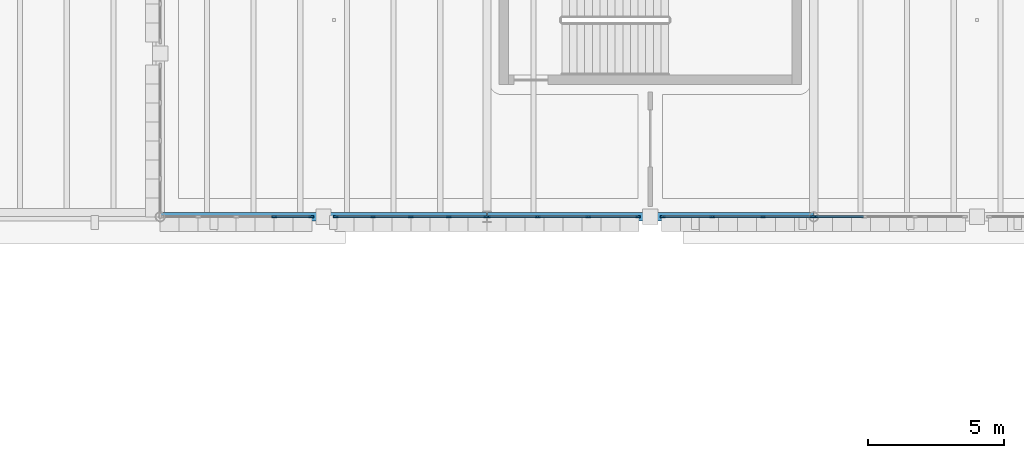
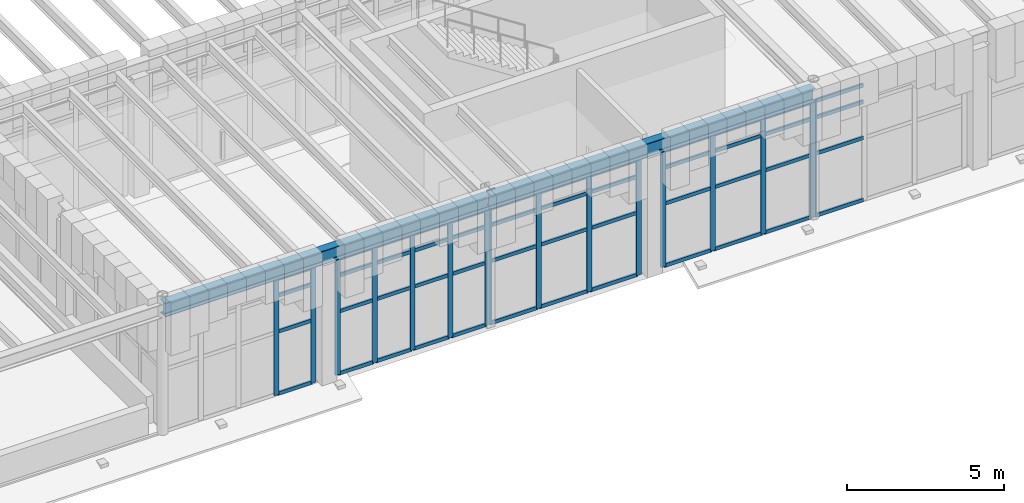
# One storey, part 29 of 100: 64 members, 2 beams, 5 elements without a shape of their own.
"""IFC4 building model written with IfcOpenShell, lengths in metres."""

from ifc_helpers import new_model, si_unit, direction, frame, origin, origin_2d, place, context, subcontext, project, spatial, rectangle, i_section, extrude, material, layer, layer_set, material_profile, profile_set, type_object, element, aggregate, save


model = new_model("IFC4")

# Units and contexts
model_context = context("Model", 3, precision=1e-05, world=origin(), true_north=direction((0.0, 1.0)))
body_context = subcontext(model_context, "Body", "Model", "MODEL_VIEW")
ifc_project = project(units=[si_unit("LENGTHUNIT", "METRE"), si_unit("AREAUNIT", "SQUARE_METRE"), si_unit("VOLUMEUNIT", "CUBIC_METRE"), si_unit("PLANEANGLEUNIT", "RADIAN"), si_unit("MASSUNIT", "GRAM", prefix="KILO")], contexts=[model_context])

# Site, building, storey
site_placement = place(None, origin())
site = spatial("IfcSite", under=ifc_project, at=site_placement, CompositionType="ELEMENT")
building_placement = place(site_placement, origin())
building = spatial("IfcBuilding", under=site, at=building_placement, Name="Zlatogorsky Bluff Art Gallery", CompositionType="ELEMENT")
storey_placement = place(building_placement, frame((0.0, 0.0, 5.39990234375)))
storey = spatial("IfcBuildingStorey", under=building, at=storey_placement, Name="L01", CompositionType="ELEMENT", Elevation=5.39990234375)

# Beams
ifc_material_1 = material(Name="Steel S355", Category="steel")
ifc_material_profile_1 = material_profile(ifc_material_1, i_section(OverallWidth=0.300048828125, OverallDepth=0.5400390625, WebThickness=0.012451171875, FlangeThickness=0.02392578125, FilletRadius=0.027099609375, at=origin_2d()), Name="HEA 550")
ifc_profile_set_1 = profile_set([ifc_material_profile_1], Name="Steel S355")
beam_type = type_object("IfcBeamType", Name="Beam BM-06 HEA 550", PredefinedType="BEAM", material=ifc_profile_set_1)
for number, where, z_axis, x_axis, name in (
    (1, (60.014892578125, 84.0, 4.840087890625), (1.0, 0.0, 0.0), (0.0, 1.0, 0.0), "Primary girder BM-06 L01 F-G/9"),
    (2, (72.014892578125, 84.0, 4.840087890625), (1.0, 0.0, 0.0), (0.0, 1.0, 0.0), "Primary girder BM-06 L01 G-H/9"),
):
    element("IfcBeam", number, at=place(storey_placement, frame(where, z_axis=z_axis, x_axis=x_axis)), inside=storey, type_object=beam_type, Name=name, PredefinedType="BEAM", context=body_context, shape_type="SweptSolid", body=[
        extrude(i_section(OverallWidth=0.300048828125, OverallDepth=0.5400390625, WebThickness=0.012451171875, FlangeThickness=0.02392578125, FilletRadius=0.027099609375, at=origin_2d()), origin(), (0.0, 0.0, 1.0), 11.97021484375),
    ])

# Curtain wall, members
ifc_material_2 = material(Name="Anodised Bronze Aluminium and Low-Iron Triple Glazing", Category="aluminium")
ifc_layer_1 = layer(ifc_material_2, 0.199951171875)
ifc_layer_set_1 = layer_set([ifc_layer_1], Name="Curtain Wall CW-02")
curtain_wall_type_1 = type_object("IfcCurtainWallType", Name="Curtain Wall CW-02", PredefinedType="USERDEFINED", material=ifc_layer_set_1)
curtain_wall_1_placement = place(storey_placement, origin())
curtain_wall_1 = element("IfcCurtainWall", 3, at=curtain_wall_1_placement, inside=storey, type_object=curtain_wall_type_1, Name="Unitised curtain wall CW-02 L01 S 5.8-A", ObjectType="CURTAIN WALL", PredefinedType="USERDEFINED")
ifc_material_3 = material(Name="Anodised Bronze Aluminium", Category="aluminium")
ifc_material_profile_2 = material_profile(ifc_material_3, rectangle(XDim=0.06494140625, YDim=0.179931640625, at=origin_2d()), Name="ALU MULLION 65x180")
ifc_profile_set_2 = profile_set([ifc_material_profile_2], Name="Anodised Bronze Aluminium")
member_type_1 = type_object("IfcMemberType", Name="Curtain Mullion ML-01", PredefinedType="MULLION", material=ifc_profile_set_2)
member_1_placement = place(storey_placement, frame((64.18505859375, 84.0, 0.0), z_axis=(0.0, 0.0, 1.0), x_axis=(0.0, 1.0, 0.0)))
member_1 = element("IfcMember", 4, at=member_1_placement, type_object=member_type_1, Name="CW-02 mullion 4", PredefinedType="MULLION", context=body_context, shape_type="SweptSolid", body=[
    extrude(rectangle(XDim=0.06494140625, YDim=0.179931640625, at=origin_2d()), origin(), (0.0, 0.0, 1.0), 4.530029296875),
])
member_2_placement = place(storey_placement, frame((65.547607421875, 84.0, 0.0), z_axis=(0.0, 0.0, 1.0), x_axis=(0.0, 1.0, 0.0)))
member_2 = element("IfcMember", 5, at=member_2_placement, type_object=member_type_1, Name="CW-02 mullion 5", PredefinedType="MULLION", context=body_context, shape_type="SweptSolid", body=[
    extrude(rectangle(XDim=0.06494140625, YDim=0.179931640625, at=origin_2d()), origin(), (0.0, 0.0, 1.0), 4.530029296875),
])

curtain_wall_2_placement = place(storey_placement, origin())
curtain_wall_2 = element("IfcCurtainWall", 6, at=curtain_wall_2_placement, inside=storey, type_object=curtain_wall_type_1, Name="Unitised curtain wall CW-02 L01 S 5.8-B", ObjectType="CURTAIN WALL", PredefinedType="USERDEFINED")
member_3_placement = place(storey_placement, frame((66.452392578125, 84.0, 0.0), z_axis=(0.0, 0.0, 1.0), x_axis=(0.0, 1.0, 0.0)))
member_3 = element("IfcMember", 7, at=member_3_placement, type_object=member_type_1, Name="CW-02 mullion 1", PredefinedType="MULLION", context=body_context, shape_type="SweptSolid", body=[
    extrude(rectangle(XDim=0.06494140625, YDim=0.179931640625, at=origin_2d()), origin(), (0.0, 0.0, 1.0), 4.530029296875),
])
member_4_placement = place(storey_placement, frame((67.81494140625, 84.0, 0.0), z_axis=(0.0, 0.0, 1.0), x_axis=(0.0, 1.0, 0.0)))
member_4 = element("IfcMember", 8, at=member_4_placement, type_object=member_type_1, Name="CW-02 mullion 2", PredefinedType="MULLION", context=body_context, shape_type="SweptSolid", body=[
    extrude(rectangle(XDim=0.06494140625, YDim=0.179931640625, at=origin_2d()), origin(), (0.0, 0.0, 1.0), 4.530029296875),
])
member_5_placement = place(storey_placement, frame((69.2099609375, 84.0, 0.0), z_axis=(0.0, 0.0, 1.0), x_axis=(0.0, 1.0, 0.0)))
member_5 = element("IfcMember", 9, at=member_5_placement, type_object=member_type_1, Name="CW-02 mullion 3", PredefinedType="MULLION", context=body_context, shape_type="SweptSolid", body=[
    extrude(rectangle(XDim=0.06494140625, YDim=0.179931640625, at=origin_2d()), origin(), (0.0, 0.0, 1.0), 4.530029296875),
])
member_6_placement = place(storey_placement, frame((70.60498046875, 84.0, 0.0), z_axis=(0.0, 0.0, 1.0), x_axis=(0.0, 1.0, 0.0)))
member_6 = element("IfcMember", 10, at=member_6_placement, type_object=member_type_1, Name="CW-02 mullion 4", PredefinedType="MULLION", context=body_context, shape_type="SweptSolid", body=[
    extrude(rectangle(XDim=0.06494140625, YDim=0.179931640625, at=origin_2d()), origin(), (0.0, 0.0, 1.0), 4.530029296875),
])
member_7_placement = place(storey_placement, frame((71.967529296875, 84.0, 0.0), z_axis=(0.0, 0.0, 1.0), x_axis=(0.0, 1.0, 0.0)))
member_7 = element("IfcMember", 11, at=member_7_placement, type_object=member_type_1, Name="CW-02 mullion 5", PredefinedType="MULLION", context=body_context, shape_type="SweptSolid", body=[
    extrude(rectangle(XDim=0.06494140625, YDim=0.179931640625, at=origin_2d()), origin(), (0.0, 0.0, 1.0), 4.530029296875),
])

ifc_layer_2 = layer(ifc_material_2, 0.219970703125)
ifc_layer_set_2 = layer_set([ifc_layer_2], Name="Curtain Wall CW-04")
curtain_wall_type_2 = type_object("IfcCurtainWallType", Name="Curtain Wall CW-04", PredefinedType="USERDEFINED", material=ifc_layer_set_2)
curtain_wall_3_placement = place(storey_placement, origin())
curtain_wall_3 = element("IfcCurtainWall", 12, at=curtain_wall_3_placement, inside=storey, type_object=curtain_wall_type_2, Name="Unitised curtain wall CW-04 L01 S 6.8-A", ObjectType="CURTAIN WALL", PredefinedType="USERDEFINED")
member_8_placement = place(storey_placement, frame((72.032470703125, 84.0, 0.0), z_axis=(0.0, 0.0, 1.0), x_axis=(0.0, 1.0, 0.0)))
member_8 = element("IfcMember", 13, at=member_8_placement, type_object=member_type_1, Name="CW-04 mullion 1", PredefinedType="MULLION", context=body_context, shape_type="SweptSolid", body=[
    extrude(rectangle(XDim=0.06494140625, YDim=0.179931640625, at=origin_2d()), origin(), (0.0, 0.0, 1.0), 4.530029296875),
])
member_9_placement = place(storey_placement, frame((73.860107421875, 84.0, 0.0), z_axis=(0.0, 0.0, 1.0), x_axis=(0.0, 1.0, 0.0)))
member_9 = element("IfcMember", 14, at=member_9_placement, type_object=member_type_1, Name="CW-04 mullion 2", PredefinedType="MULLION", context=body_context, shape_type="SweptSolid", body=[
    extrude(rectangle(XDim=0.06494140625, YDim=0.179931640625, at=origin_2d()), origin(), (0.0, 0.0, 1.0), 4.530029296875),
])
member_10_placement = place(storey_placement, frame((75.719970703125, 84.0, 0.0), z_axis=(0.0, 0.0, 1.0), x_axis=(0.0, 1.0, 0.0)))
member_10 = element("IfcMember", 15, at=member_10_placement, type_object=member_type_1, Name="CW-04 mullion 3", PredefinedType="MULLION", context=body_context, shape_type="SweptSolid", body=[
    extrude(rectangle(XDim=0.06494140625, YDim=0.179931640625, at=origin_2d()), origin(), (0.0, 0.0, 1.0), 4.530029296875),
])
member_11_placement = place(storey_placement, frame((77.547607421875, 84.0, 0.0), z_axis=(0.0, 0.0, 1.0), x_axis=(0.0, 1.0, 0.0)))
member_11 = element("IfcMember", 16, at=member_11_placement, type_object=member_type_1, Name="CW-04 mullion 4", PredefinedType="MULLION", context=body_context, shape_type="SweptSolid", body=[
    extrude(rectangle(XDim=0.06494140625, YDim=0.179931640625, at=origin_2d()), origin(), (0.0, 0.0, 1.0), 4.530029296875),
])

curtain_wall_4_placement = place(storey_placement, origin())
curtain_wall_4 = element("IfcCurtainWall", 17, at=curtain_wall_4_placement, inside=storey, type_object=curtain_wall_type_2, Name="Unitised curtain wall CW-04 L01 S 6.8-B", ObjectType="CURTAIN WALL", PredefinedType="USERDEFINED")
member_12_placement = place(storey_placement, frame((78.452392578125, 84.0, 0.0), z_axis=(0.0, 0.0, 1.0), x_axis=(0.0, 1.0, 0.0)))
member_12 = element("IfcMember", 18, at=member_12_placement, type_object=member_type_1, Name="CW-04 mullion 1", PredefinedType="MULLION", context=body_context, shape_type="SweptSolid", body=[
    extrude(rectangle(XDim=0.06494140625, YDim=0.179931640625, at=origin_2d()), origin(), (0.0, 0.0, 1.0), 4.530029296875),
])
member_13_placement = place(storey_placement, frame((80.280029296875, 84.0, 0.0), z_axis=(0.0, 0.0, 1.0), x_axis=(0.0, 1.0, 0.0)))
member_13 = element("IfcMember", 19, at=member_13_placement, type_object=member_type_1, Name="CW-04 mullion 2", PredefinedType="MULLION", context=body_context, shape_type="SweptSolid", body=[
    extrude(rectangle(XDim=0.06494140625, YDim=0.179931640625, at=origin_2d()), origin(), (0.0, 0.0, 1.0), 4.530029296875),
])
member_14_placement = place(storey_placement, frame((82.139892578125, 84.0, 0.0), z_axis=(0.0, 0.0, 1.0), x_axis=(0.0, 1.0, 0.0)))
member_14 = element("IfcMember", 20, at=member_14_placement, type_object=member_type_1, Name="CW-04 mullion 3", PredefinedType="MULLION", context=body_context, shape_type="SweptSolid", body=[
    extrude(rectangle(XDim=0.06494140625, YDim=0.179931640625, at=origin_2d()), origin(), (0.0, 0.0, 1.0), 4.530029296875),
])
member_15_placement = place(storey_placement, frame((83.967529296875, 84.0, 0.0), z_axis=(0.0, 0.0, 1.0), x_axis=(0.0, 1.0, 0.0)))
member_15 = element("IfcMember", 21, at=member_15_placement, type_object=member_type_1, Name="CW-04 mullion 4", PredefinedType="MULLION", context=body_context, shape_type="SweptSolid", body=[
    extrude(rectangle(XDim=0.06494140625, YDim=0.179931640625, at=origin_2d()), origin(), (0.0, 0.0, 1.0), 4.530029296875),
])

# Curtain wall, member
curtain_wall_5_placement = place(storey_placement, origin())
curtain_wall_5 = element("IfcCurtainWall", 22, at=curtain_wall_5_placement, inside=storey, type_object=curtain_wall_type_2, Name="Unitised curtain wall CW-04 L01 S 7.8-A", ObjectType="CURTAIN WALL", PredefinedType="USERDEFINED")
member_16_placement = place(storey_placement, frame((84.032470703125, 84.0, 0.0), z_axis=(0.0, 0.0, 1.0), x_axis=(0.0, 1.0, 0.0)))
member_16 = element("IfcMember", 23, at=member_16_placement, type_object=member_type_1, Name="CW-04 mullion 1", PredefinedType="MULLION", context=body_context, shape_type="SweptSolid", body=[
    extrude(rectangle(XDim=0.06494140625, YDim=0.179931640625, at=origin_2d()), origin(), (0.0, 0.0, 1.0), 4.530029296875),
])

# Member
ifc_material_profile_3 = material_profile(ifc_material_3, rectangle(XDim=0.06494140625, YDim=0.139892578125, at=origin_2d()), Name="ALU TRANSOM 65x140")
ifc_profile_set_3 = profile_set([ifc_material_profile_3], Name="Anodised Bronze Aluminium")
member_type_2 = type_object("IfcMemberType", Name="Curtain Transom TR-01", PredefinedType="USERDEFINED", material=ifc_profile_set_3)
member_17_placement = place(storey_placement, frame((64.217529296875, 84.0, 0.03271484375), z_axis=(1.0, 0.0, 0.0), x_axis=(0.0, 1.0, 0.0)))
member_17 = element("IfcMember", 24, at=member_17_placement, type_object=member_type_2, Name="CW-02 transom 4.1", ObjectType="TRANSOM", PredefinedType="USERDEFINED", context=body_context, shape_type="SweptSolid", body=[
    extrude(rectangle(XDim=0.06494140625, YDim=0.139892578125, at=origin_2d()), origin(), (0.0, 0.0, 1.0), 1.29736328125),
])

member_18_placement = place(storey_placement, frame((64.217529296875, 84.0, 2.4501953125), z_axis=(1.0, 0.0, 0.0), x_axis=(0.0, 1.0, 0.0)))
member_18 = element("IfcMember", 25, at=member_18_placement, type_object=member_type_2, Name="CW-02 transom 4.2", ObjectType="TRANSOM", PredefinedType="USERDEFINED", context=body_context, shape_type="SweptSolid", body=[
    extrude(rectangle(XDim=0.06494140625, YDim=0.139892578125, at=origin_2d()), origin(), (0.0, 0.0, 1.0), 1.29736328125),
])

member_19_placement = place(storey_placement, frame((64.217529296875, 84.0, 3.85009765625), z_axis=(1.0, 0.0, 0.0), x_axis=(0.0, 1.0, 0.0)))
member_19 = element("IfcMember", 26, at=member_19_placement, type_object=member_type_2, Name="CW-02 transom 4.3", ObjectType="TRANSOM", PredefinedType="USERDEFINED", context=body_context, shape_type="SweptSolid", body=[
    extrude(rectangle(XDim=0.06494140625, YDim=0.139892578125, at=origin_2d()), origin(), (0.0, 0.0, 1.0), 1.29736328125),
])

member_20_placement = place(storey_placement, frame((64.217529296875, 84.0, 4.49755859375), z_axis=(1.0, 0.0, 0.0), x_axis=(0.0, 1.0, 0.0)))
member_20 = element("IfcMember", 27, at=member_20_placement, type_object=member_type_2, Name="CW-02 transom 4.4", ObjectType="TRANSOM", PredefinedType="USERDEFINED", context=body_context, shape_type="SweptSolid", body=[
    extrude(rectangle(XDim=0.06494140625, YDim=0.139892578125, at=origin_2d()), origin(), (0.0, 0.0, 1.0), 1.29736328125),
])

aggregate(curtain_wall_1, [member_1, member_2, member_17, member_18, member_19, member_20])

member_21_placement = place(storey_placement, frame((66.485107421875, 84.0, 0.03271484375), z_axis=(1.0, 0.0, 0.0), x_axis=(0.0, 1.0, 0.0)))
member_21 = element("IfcMember", 28, at=member_21_placement, type_object=member_type_2, Name="CW-02 transom 1.1", ObjectType="TRANSOM", PredefinedType="USERDEFINED", context=body_context, shape_type="SweptSolid", body=[
    extrude(rectangle(XDim=0.06494140625, YDim=0.139892578125, at=origin_2d()), origin(), (0.0, 0.0, 1.0), 1.29736328125),
])

member_22_placement = place(storey_placement, frame((66.485107421875, 84.0, 2.4501953125), z_axis=(1.0, 0.0, 0.0), x_axis=(0.0, 1.0, 0.0)))
member_22 = element("IfcMember", 29, at=member_22_placement, type_object=member_type_2, Name="CW-02 transom 1.2", ObjectType="TRANSOM", PredefinedType="USERDEFINED", context=body_context, shape_type="SweptSolid", body=[
    extrude(rectangle(XDim=0.06494140625, YDim=0.139892578125, at=origin_2d()), origin(), (0.0, 0.0, 1.0), 1.29736328125),
])

member_23_placement = place(storey_placement, frame((66.485107421875, 84.0, 3.85009765625), z_axis=(1.0, 0.0, 0.0), x_axis=(0.0, 1.0, 0.0)))
member_23 = element("IfcMember", 30, at=member_23_placement, type_object=member_type_2, Name="CW-02 transom 1.3", ObjectType="TRANSOM", PredefinedType="USERDEFINED", context=body_context, shape_type="SweptSolid", body=[
    extrude(rectangle(XDim=0.06494140625, YDim=0.139892578125, at=origin_2d()), origin(), (0.0, 0.0, 1.0), 1.29736328125),
])

member_24_placement = place(storey_placement, frame((66.485107421875, 84.0, 4.49755859375), z_axis=(1.0, 0.0, 0.0), x_axis=(0.0, 1.0, 0.0)))
member_24 = element("IfcMember", 31, at=member_24_placement, type_object=member_type_2, Name="CW-02 transom 1.4", ObjectType="TRANSOM", PredefinedType="USERDEFINED", context=body_context, shape_type="SweptSolid", body=[
    extrude(rectangle(XDim=0.06494140625, YDim=0.139892578125, at=origin_2d()), origin(), (0.0, 0.0, 1.0), 1.29736328125),
])

member_25_placement = place(storey_placement, frame((67.847412109375, 84.0, 0.03271484375), z_axis=(1.0, 0.0, 0.0), x_axis=(0.0, 1.0, 0.0)))
member_25 = element("IfcMember", 32, at=member_25_placement, type_object=member_type_2, Name="CW-02 transom 2.1", ObjectType="TRANSOM", PredefinedType="USERDEFINED", context=body_context, shape_type="SweptSolid", body=[
    extrude(rectangle(XDim=0.06494140625, YDim=0.139892578125, at=origin_2d()), origin(), (0.0, 0.0, 1.0), 1.330078125),
])

member_26_placement = place(storey_placement, frame((67.847412109375, 84.0, 2.4501953125), z_axis=(1.0, 0.0, 0.0), x_axis=(0.0, 1.0, 0.0)))
member_26 = element("IfcMember", 33, at=member_26_placement, type_object=member_type_2, Name="CW-02 transom 2.2", ObjectType="TRANSOM", PredefinedType="USERDEFINED", context=body_context, shape_type="SweptSolid", body=[
    extrude(rectangle(XDim=0.06494140625, YDim=0.139892578125, at=origin_2d()), origin(), (0.0, 0.0, 1.0), 1.330078125),
])

member_27_placement = place(storey_placement, frame((67.847412109375, 84.0, 3.85009765625), z_axis=(1.0, 0.0, 0.0), x_axis=(0.0, 1.0, 0.0)))
member_27 = element("IfcMember", 34, at=member_27_placement, type_object=member_type_2, Name="CW-02 transom 2.3", ObjectType="TRANSOM", PredefinedType="USERDEFINED", context=body_context, shape_type="SweptSolid", body=[
    extrude(rectangle(XDim=0.06494140625, YDim=0.139892578125, at=origin_2d()), origin(), (0.0, 0.0, 1.0), 1.330078125),
])

member_28_placement = place(storey_placement, frame((67.847412109375, 84.0, 4.49755859375), z_axis=(1.0, 0.0, 0.0), x_axis=(0.0, 1.0, 0.0)))
member_28 = element("IfcMember", 35, at=member_28_placement, type_object=member_type_2, Name="CW-02 transom 2.4", ObjectType="TRANSOM", PredefinedType="USERDEFINED", context=body_context, shape_type="SweptSolid", body=[
    extrude(rectangle(XDim=0.06494140625, YDim=0.139892578125, at=origin_2d()), origin(), (0.0, 0.0, 1.0), 1.330078125),
])

member_29_placement = place(storey_placement, frame((69.242431640625, 84.0, 0.03271484375), z_axis=(1.0, 0.0, 0.0), x_axis=(0.0, 1.0, 0.0)))
member_29 = element("IfcMember", 36, at=member_29_placement, type_object=member_type_2, Name="CW-02 transom 3.1", ObjectType="TRANSOM", PredefinedType="USERDEFINED", context=body_context, shape_type="SweptSolid", body=[
    extrude(rectangle(XDim=0.06494140625, YDim=0.139892578125, at=origin_2d()), origin(), (0.0, 0.0, 1.0), 1.330078125),
])

member_30_placement = place(storey_placement, frame((69.242431640625, 84.0, 2.4501953125), z_axis=(1.0, 0.0, 0.0), x_axis=(0.0, 1.0, 0.0)))
member_30 = element("IfcMember", 37, at=member_30_placement, type_object=member_type_2, Name="CW-02 transom 3.2", ObjectType="TRANSOM", PredefinedType="USERDEFINED", context=body_context, shape_type="SweptSolid", body=[
    extrude(rectangle(XDim=0.06494140625, YDim=0.139892578125, at=origin_2d()), origin(), (0.0, 0.0, 1.0), 1.330078125),
])

member_31_placement = place(storey_placement, frame((69.242431640625, 84.0, 3.85009765625), z_axis=(1.0, 0.0, 0.0), x_axis=(0.0, 1.0, 0.0)))
member_31 = element("IfcMember", 38, at=member_31_placement, type_object=member_type_2, Name="CW-02 transom 3.3", ObjectType="TRANSOM", PredefinedType="USERDEFINED", context=body_context, shape_type="SweptSolid", body=[
    extrude(rectangle(XDim=0.06494140625, YDim=0.139892578125, at=origin_2d()), origin(), (0.0, 0.0, 1.0), 1.330078125),
])

member_32_placement = place(storey_placement, frame((69.242431640625, 84.0, 4.49755859375), z_axis=(1.0, 0.0, 0.0), x_axis=(0.0, 1.0, 0.0)))
member_32 = element("IfcMember", 39, at=member_32_placement, type_object=member_type_2, Name="CW-02 transom 3.4", ObjectType="TRANSOM", PredefinedType="USERDEFINED", context=body_context, shape_type="SweptSolid", body=[
    extrude(rectangle(XDim=0.06494140625, YDim=0.139892578125, at=origin_2d()), origin(), (0.0, 0.0, 1.0), 1.330078125),
])

member_33_placement = place(storey_placement, frame((70.637451171875, 84.0, 0.03271484375), z_axis=(1.0, 0.0, 0.0), x_axis=(0.0, 1.0, 0.0)))
member_33 = element("IfcMember", 40, at=member_33_placement, type_object=member_type_2, Name="CW-02 transom 4.1", ObjectType="TRANSOM", PredefinedType="USERDEFINED", context=body_context, shape_type="SweptSolid", body=[
    extrude(rectangle(XDim=0.06494140625, YDim=0.139892578125, at=origin_2d()), origin(), (0.0, 0.0, 1.0), 1.297607421875),
])

member_34_placement = place(storey_placement, frame((70.637451171875, 84.0, 2.4501953125), z_axis=(1.0, 0.0, 0.0), x_axis=(0.0, 1.0, 0.0)))
member_34 = element("IfcMember", 41, at=member_34_placement, type_object=member_type_2, Name="CW-02 transom 4.2", ObjectType="TRANSOM", PredefinedType="USERDEFINED", context=body_context, shape_type="SweptSolid", body=[
    extrude(rectangle(XDim=0.06494140625, YDim=0.139892578125, at=origin_2d()), origin(), (0.0, 0.0, 1.0), 1.297607421875),
])

member_35_placement = place(storey_placement, frame((70.637451171875, 84.0, 3.85009765625), z_axis=(1.0, 0.0, 0.0), x_axis=(0.0, 1.0, 0.0)))
member_35 = element("IfcMember", 42, at=member_35_placement, type_object=member_type_2, Name="CW-02 transom 4.3", ObjectType="TRANSOM", PredefinedType="USERDEFINED", context=body_context, shape_type="SweptSolid", body=[
    extrude(rectangle(XDim=0.06494140625, YDim=0.139892578125, at=origin_2d()), origin(), (0.0, 0.0, 1.0), 1.297607421875),
])

member_36_placement = place(storey_placement, frame((70.637451171875, 84.0, 4.49755859375), z_axis=(1.0, 0.0, 0.0), x_axis=(0.0, 1.0, 0.0)))
member_36 = element("IfcMember", 43, at=member_36_placement, type_object=member_type_2, Name="CW-02 transom 4.4", ObjectType="TRANSOM", PredefinedType="USERDEFINED", context=body_context, shape_type="SweptSolid", body=[
    extrude(rectangle(XDim=0.06494140625, YDim=0.139892578125, at=origin_2d()), origin(), (0.0, 0.0, 1.0), 1.297607421875),
])

aggregate(curtain_wall_2, [member_3, member_4, member_5, member_6, member_7, member_21, member_22, member_23, member_24, member_25, member_26, member_27, member_28, member_29, member_30, member_31, member_32, member_33, member_34, member_35, member_36])

member_37_placement = place(storey_placement, frame((72.06494140625, 84.0, 0.03271484375), z_axis=(1.0, 0.0, 0.0), x_axis=(0.0, 1.0, 0.0)))
member_37 = element("IfcMember", 44, at=member_37_placement, type_object=member_type_2, Name="CW-04 transom 1.1", ObjectType="TRANSOM", PredefinedType="USERDEFINED", context=body_context, shape_type="SweptSolid", body=[
    extrude(rectangle(XDim=0.06494140625, YDim=0.139892578125, at=origin_2d()), origin(), (0.0, 0.0, 1.0), 1.762451171875),
])

member_38_placement = place(storey_placement, frame((72.06494140625, 84.0, 2.4501953125), z_axis=(1.0, 0.0, 0.0), x_axis=(0.0, 1.0, 0.0)))
member_38 = element("IfcMember", 45, at=member_38_placement, type_object=member_type_2, Name="CW-04 transom 1.2", ObjectType="TRANSOM", PredefinedType="USERDEFINED", context=body_context, shape_type="SweptSolid", body=[
    extrude(rectangle(XDim=0.06494140625, YDim=0.139892578125, at=origin_2d()), origin(), (0.0, 0.0, 1.0), 1.762451171875),
])

member_39_placement = place(storey_placement, frame((72.06494140625, 84.0, 3.85009765625), z_axis=(1.0, 0.0, 0.0), x_axis=(0.0, 1.0, 0.0)))
member_39 = element("IfcMember", 46, at=member_39_placement, type_object=member_type_2, Name="CW-04 transom 1.3", ObjectType="TRANSOM", PredefinedType="USERDEFINED", context=body_context, shape_type="SweptSolid", body=[
    extrude(rectangle(XDim=0.06494140625, YDim=0.139892578125, at=origin_2d()), origin(), (0.0, 0.0, 1.0), 1.762451171875),
])

member_40_placement = place(storey_placement, frame((72.06494140625, 84.0, 4.49755859375), z_axis=(1.0, 0.0, 0.0), x_axis=(0.0, 1.0, 0.0)))
member_40 = element("IfcMember", 47, at=member_40_placement, type_object=member_type_2, Name="CW-04 transom 1.4", ObjectType="TRANSOM", PredefinedType="USERDEFINED", context=body_context, shape_type="SweptSolid", body=[
    extrude(rectangle(XDim=0.06494140625, YDim=0.139892578125, at=origin_2d()), origin(), (0.0, 0.0, 1.0), 1.762451171875),
])

member_41_placement = place(storey_placement, frame((73.892578125, 84.0, 0.03271484375), z_axis=(1.0, 0.0, 0.0), x_axis=(0.0, 1.0, 0.0)))
member_41 = element("IfcMember", 48, at=member_41_placement, type_object=member_type_2, Name="CW-04 transom 2.1", ObjectType="TRANSOM", PredefinedType="USERDEFINED", context=body_context, shape_type="SweptSolid", body=[
    extrude(rectangle(XDim=0.06494140625, YDim=0.139892578125, at=origin_2d()), origin(), (0.0, 0.0, 1.0), 1.794921875),
])

member_42_placement = place(storey_placement, frame((73.892578125, 84.0, 2.4501953125), z_axis=(1.0, 0.0, 0.0), x_axis=(0.0, 1.0, 0.0)))
member_42 = element("IfcMember", 49, at=member_42_placement, type_object=member_type_2, Name="CW-04 transom 2.2", ObjectType="TRANSOM", PredefinedType="USERDEFINED", context=body_context, shape_type="SweptSolid", body=[
    extrude(rectangle(XDim=0.06494140625, YDim=0.139892578125, at=origin_2d()), origin(), (0.0, 0.0, 1.0), 1.794921875),
])

member_43_placement = place(storey_placement, frame((73.892578125, 84.0, 3.85009765625), z_axis=(1.0, 0.0, 0.0), x_axis=(0.0, 1.0, 0.0)))
member_43 = element("IfcMember", 50, at=member_43_placement, type_object=member_type_2, Name="CW-04 transom 2.3", ObjectType="TRANSOM", PredefinedType="USERDEFINED", context=body_context, shape_type="SweptSolid", body=[
    extrude(rectangle(XDim=0.06494140625, YDim=0.139892578125, at=origin_2d()), origin(), (0.0, 0.0, 1.0), 1.794921875),
])

member_44_placement = place(storey_placement, frame((73.892578125, 84.0, 4.49755859375), z_axis=(1.0, 0.0, 0.0), x_axis=(0.0, 1.0, 0.0)))
member_44 = element("IfcMember", 51, at=member_44_placement, type_object=member_type_2, Name="CW-04 transom 2.4", ObjectType="TRANSOM", PredefinedType="USERDEFINED", context=body_context, shape_type="SweptSolid", body=[
    extrude(rectangle(XDim=0.06494140625, YDim=0.139892578125, at=origin_2d()), origin(), (0.0, 0.0, 1.0), 1.794921875),
])

member_45_placement = place(storey_placement, frame((75.75244140625, 84.0, 0.03271484375), z_axis=(1.0, 0.0, 0.0), x_axis=(0.0, 1.0, 0.0)))
member_45 = element("IfcMember", 52, at=member_45_placement, type_object=member_type_2, Name="CW-04 transom 3.1", ObjectType="TRANSOM", PredefinedType="USERDEFINED", context=body_context, shape_type="SweptSolid", body=[
    extrude(rectangle(XDim=0.06494140625, YDim=0.139892578125, at=origin_2d()), origin(), (0.0, 0.0, 1.0), 1.762451171875),
])

member_46_placement = place(storey_placement, frame((75.75244140625, 84.0, 2.4501953125), z_axis=(1.0, 0.0, 0.0), x_axis=(0.0, 1.0, 0.0)))
member_46 = element("IfcMember", 53, at=member_46_placement, type_object=member_type_2, Name="CW-04 transom 3.2", ObjectType="TRANSOM", PredefinedType="USERDEFINED", context=body_context, shape_type="SweptSolid", body=[
    extrude(rectangle(XDim=0.06494140625, YDim=0.139892578125, at=origin_2d()), origin(), (0.0, 0.0, 1.0), 1.762451171875),
])

member_47_placement = place(storey_placement, frame((75.75244140625, 84.0, 3.85009765625), z_axis=(1.0, 0.0, 0.0), x_axis=(0.0, 1.0, 0.0)))
member_47 = element("IfcMember", 54, at=member_47_placement, type_object=member_type_2, Name="CW-04 transom 3.3", ObjectType="TRANSOM", PredefinedType="USERDEFINED", context=body_context, shape_type="SweptSolid", body=[
    extrude(rectangle(XDim=0.06494140625, YDim=0.139892578125, at=origin_2d()), origin(), (0.0, 0.0, 1.0), 1.762451171875),
])

member_48_placement = place(storey_placement, frame((75.75244140625, 84.0, 4.49755859375), z_axis=(1.0, 0.0, 0.0), x_axis=(0.0, 1.0, 0.0)))
member_48 = element("IfcMember", 55, at=member_48_placement, type_object=member_type_2, Name="CW-04 transom 3.4", ObjectType="TRANSOM", PredefinedType="USERDEFINED", context=body_context, shape_type="SweptSolid", body=[
    extrude(rectangle(XDim=0.06494140625, YDim=0.139892578125, at=origin_2d()), origin(), (0.0, 0.0, 1.0), 1.762451171875),
])

aggregate(curtain_wall_3, [member_8, member_9, member_10, member_11, member_37, member_38, member_39, member_40, member_41, member_42, member_43, member_44, member_45, member_46, member_47, member_48])

member_49_placement = place(storey_placement, frame((78.485107421875, 84.0, 0.03271484375), z_axis=(1.0, 0.0, 0.0), x_axis=(0.0, 1.0, 0.0)))
member_49 = element("IfcMember", 56, at=member_49_placement, type_object=member_type_2, Name="CW-04 transom 1.1", ObjectType="TRANSOM", PredefinedType="USERDEFINED", context=body_context, shape_type="SweptSolid", body=[
    extrude(rectangle(XDim=0.06494140625, YDim=0.139892578125, at=origin_2d()), origin(), (0.0, 0.0, 1.0), 1.762451171875),
])

member_50_placement = place(storey_placement, frame((78.485107421875, 84.0, 2.4501953125), z_axis=(1.0, 0.0, 0.0), x_axis=(0.0, 1.0, 0.0)))
member_50 = element("IfcMember", 57, at=member_50_placement, type_object=member_type_2, Name="CW-04 transom 1.2", ObjectType="TRANSOM", PredefinedType="USERDEFINED", context=body_context, shape_type="SweptSolid", body=[
    extrude(rectangle(XDim=0.06494140625, YDim=0.139892578125, at=origin_2d()), origin(), (0.0, 0.0, 1.0), 1.762451171875),
])

member_51_placement = place(storey_placement, frame((78.485107421875, 84.0, 3.85009765625), z_axis=(1.0, 0.0, 0.0), x_axis=(0.0, 1.0, 0.0)))
member_51 = element("IfcMember", 58, at=member_51_placement, type_object=member_type_2, Name="CW-04 transom 1.3", ObjectType="TRANSOM", PredefinedType="USERDEFINED", context=body_context, shape_type="SweptSolid", body=[
    extrude(rectangle(XDim=0.06494140625, YDim=0.139892578125, at=origin_2d()), origin(), (0.0, 0.0, 1.0), 1.762451171875),
])

member_52_placement = place(storey_placement, frame((78.485107421875, 84.0, 4.49755859375), z_axis=(1.0, 0.0, 0.0), x_axis=(0.0, 1.0, 0.0)))
member_52 = element("IfcMember", 59, at=member_52_placement, type_object=member_type_2, Name="CW-04 transom 1.4", ObjectType="TRANSOM", PredefinedType="USERDEFINED", context=body_context, shape_type="SweptSolid", body=[
    extrude(rectangle(XDim=0.06494140625, YDim=0.139892578125, at=origin_2d()), origin(), (0.0, 0.0, 1.0), 1.762451171875),
])

member_53_placement = place(storey_placement, frame((80.3125, 84.0, 0.03271484375), z_axis=(1.0, 0.0, 0.0), x_axis=(0.0, 1.0, 0.0)))
member_53 = element("IfcMember", 60, at=member_53_placement, type_object=member_type_2, Name="CW-04 transom 2.1", ObjectType="TRANSOM", PredefinedType="USERDEFINED", context=body_context, shape_type="SweptSolid", body=[
    extrude(rectangle(XDim=0.06494140625, YDim=0.139892578125, at=origin_2d()), origin(), (0.0, 0.0, 1.0), 1.794921875),
])

member_54_placement = place(storey_placement, frame((80.3125, 84.0, 2.4501953125), z_axis=(1.0, 0.0, 0.0), x_axis=(0.0, 1.0, 0.0)))
member_54 = element("IfcMember", 61, at=member_54_placement, type_object=member_type_2, Name="CW-04 transom 2.2", ObjectType="TRANSOM", PredefinedType="USERDEFINED", context=body_context, shape_type="SweptSolid", body=[
    extrude(rectangle(XDim=0.06494140625, YDim=0.139892578125, at=origin_2d()), origin(), (0.0, 0.0, 1.0), 1.794921875),
])

member_55_placement = place(storey_placement, frame((80.3125, 84.0, 3.85009765625), z_axis=(1.0, 0.0, 0.0), x_axis=(0.0, 1.0, 0.0)))
member_55 = element("IfcMember", 62, at=member_55_placement, type_object=member_type_2, Name="CW-04 transom 2.3", ObjectType="TRANSOM", PredefinedType="USERDEFINED", context=body_context, shape_type="SweptSolid", body=[
    extrude(rectangle(XDim=0.06494140625, YDim=0.139892578125, at=origin_2d()), origin(), (0.0, 0.0, 1.0), 1.794921875),
])

member_56_placement = place(storey_placement, frame((80.3125, 84.0, 4.49755859375), z_axis=(1.0, 0.0, 0.0), x_axis=(0.0, 1.0, 0.0)))
member_56 = element("IfcMember", 63, at=member_56_placement, type_object=member_type_2, Name="CW-04 transom 2.4", ObjectType="TRANSOM", PredefinedType="USERDEFINED", context=body_context, shape_type="SweptSolid", body=[
    extrude(rectangle(XDim=0.06494140625, YDim=0.139892578125, at=origin_2d()), origin(), (0.0, 0.0, 1.0), 1.794921875),
])

member_57_placement = place(storey_placement, frame((82.172607421875, 84.0, 0.03271484375), z_axis=(1.0, 0.0, 0.0), x_axis=(0.0, 1.0, 0.0)))
member_57 = element("IfcMember", 64, at=member_57_placement, type_object=member_type_2, Name="CW-04 transom 3.1", ObjectType="TRANSOM", PredefinedType="USERDEFINED", context=body_context, shape_type="SweptSolid", body=[
    extrude(rectangle(XDim=0.06494140625, YDim=0.139892578125, at=origin_2d()), origin(), (0.0, 0.0, 1.0), 1.762451171875),
])

member_58_placement = place(storey_placement, frame((82.172607421875, 84.0, 2.4501953125), z_axis=(1.0, 0.0, 0.0), x_axis=(0.0, 1.0, 0.0)))
member_58 = element("IfcMember", 65, at=member_58_placement, type_object=member_type_2, Name="CW-04 transom 3.2", ObjectType="TRANSOM", PredefinedType="USERDEFINED", context=body_context, shape_type="SweptSolid", body=[
    extrude(rectangle(XDim=0.06494140625, YDim=0.139892578125, at=origin_2d()), origin(), (0.0, 0.0, 1.0), 1.762451171875),
])

member_59_placement = place(storey_placement, frame((82.172607421875, 84.0, 3.85009765625), z_axis=(1.0, 0.0, 0.0), x_axis=(0.0, 1.0, 0.0)))
member_59 = element("IfcMember", 66, at=member_59_placement, type_object=member_type_2, Name="CW-04 transom 3.3", ObjectType="TRANSOM", PredefinedType="USERDEFINED", context=body_context, shape_type="SweptSolid", body=[
    extrude(rectangle(XDim=0.06494140625, YDim=0.139892578125, at=origin_2d()), origin(), (0.0, 0.0, 1.0), 1.762451171875),
])

member_60_placement = place(storey_placement, frame((82.172607421875, 84.0, 4.49755859375), z_axis=(1.0, 0.0, 0.0), x_axis=(0.0, 1.0, 0.0)))
member_60 = element("IfcMember", 67, at=member_60_placement, type_object=member_type_2, Name="CW-04 transom 3.4", ObjectType="TRANSOM", PredefinedType="USERDEFINED", context=body_context, shape_type="SweptSolid", body=[
    extrude(rectangle(XDim=0.06494140625, YDim=0.139892578125, at=origin_2d()), origin(), (0.0, 0.0, 1.0), 1.762451171875),
])

aggregate(curtain_wall_4, [member_12, member_13, member_14, member_15, member_49, member_50, member_51, member_52, member_53, member_54, member_55, member_56, member_57, member_58, member_59, member_60])

member_61_placement = place(storey_placement, frame((84.06494140625, 84.0, 0.03271484375), z_axis=(1.0, 0.0, 0.0), x_axis=(0.0, 1.0, 0.0)))
member_61 = element("IfcMember", 68, at=member_61_placement, type_object=member_type_2, Name="CW-04 transom 1.1", ObjectType="TRANSOM", PredefinedType="USERDEFINED", context=body_context, shape_type="SweptSolid", body=[
    extrude(rectangle(XDim=0.06494140625, YDim=0.139892578125, at=origin_2d()), origin(), (0.0, 0.0, 1.0), 1.762451171875),
])

member_62_placement = place(storey_placement, frame((84.06494140625, 84.0, 2.4501953125), z_axis=(1.0, 0.0, 0.0), x_axis=(0.0, 1.0, 0.0)))
member_62 = element("IfcMember", 69, at=member_62_placement, type_object=member_type_2, Name="CW-04 transom 1.2", ObjectType="TRANSOM", PredefinedType="USERDEFINED", context=body_context, shape_type="SweptSolid", body=[
    extrude(rectangle(XDim=0.06494140625, YDim=0.139892578125, at=origin_2d()), origin(), (0.0, 0.0, 1.0), 1.762451171875),
])

member_63_placement = place(storey_placement, frame((84.06494140625, 84.0, 3.85009765625), z_axis=(1.0, 0.0, 0.0), x_axis=(0.0, 1.0, 0.0)))
member_63 = element("IfcMember", 70, at=member_63_placement, type_object=member_type_2, Name="CW-04 transom 1.3", ObjectType="TRANSOM", PredefinedType="USERDEFINED", context=body_context, shape_type="SweptSolid", body=[
    extrude(rectangle(XDim=0.06494140625, YDim=0.139892578125, at=origin_2d()), origin(), (0.0, 0.0, 1.0), 1.762451171875),
])

member_64_placement = place(storey_placement, frame((84.06494140625, 84.0, 4.49755859375), z_axis=(1.0, 0.0, 0.0), x_axis=(0.0, 1.0, 0.0)))
member_64 = element("IfcMember", 71, at=member_64_placement, type_object=member_type_2, Name="CW-04 transom 1.4", ObjectType="TRANSOM", PredefinedType="USERDEFINED", context=body_context, shape_type="SweptSolid", body=[
    extrude(rectangle(XDim=0.06494140625, YDim=0.139892578125, at=origin_2d()), origin(), (0.0, 0.0, 1.0), 1.762451171875),
])

aggregate(curtain_wall_5, [member_16, member_61, member_62, member_63, member_64])

save(model, "model.ifc")
